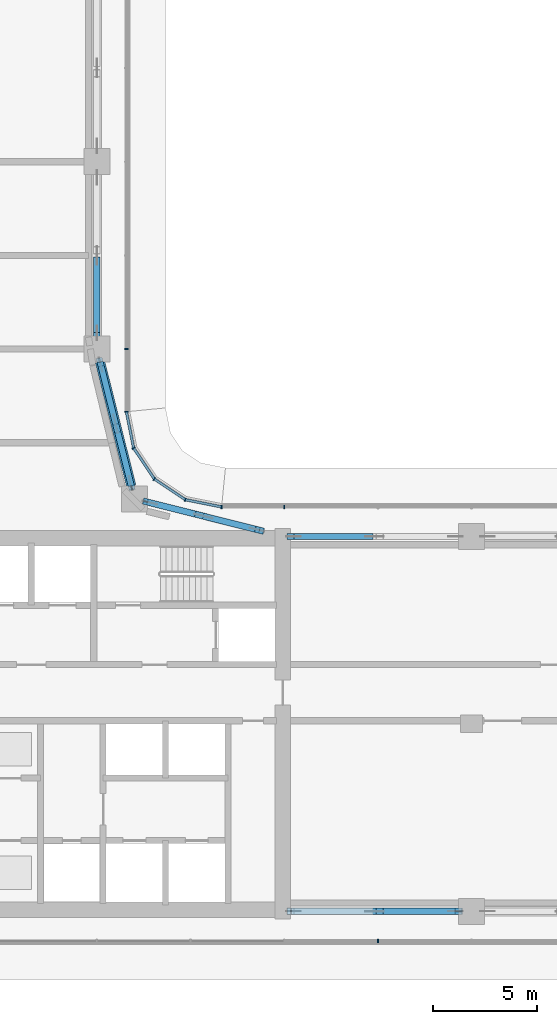
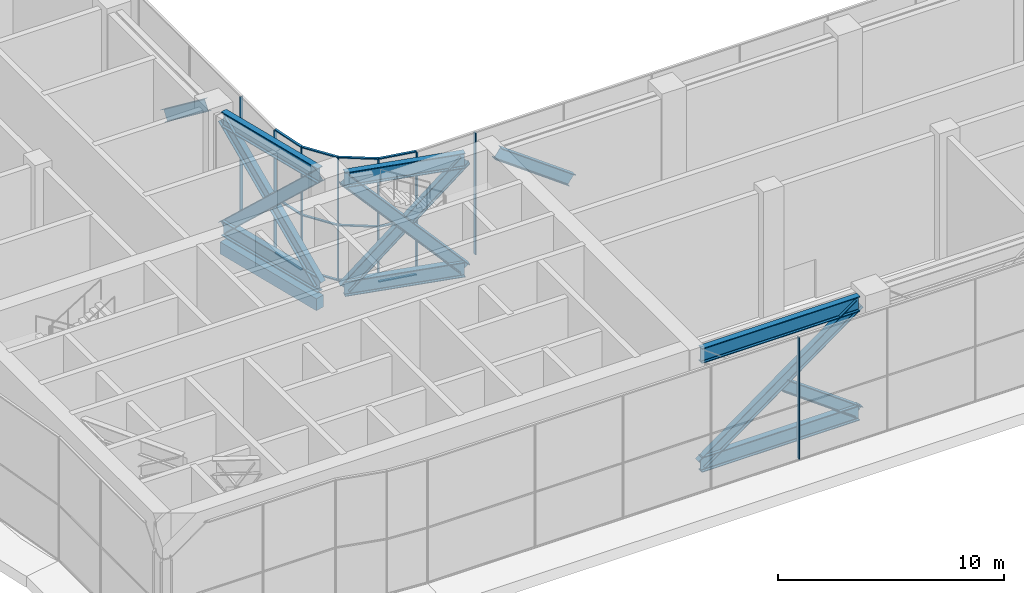
# One storey, part 5 of 35: 36 members, 1 beam, 4 elements without a shape of their own.
"""IFC4 building model written with IfcOpenShell, lengths in metres."""

from ifc_helpers import new_model, si_unit, direction, frame, origin, origin_2d, place, context, subcontext, project, spatial, rectangle, i_section, extrude, material, material_profile, profile_set, type_object, element, aggregate, save


model = new_model("IFC4")

# Units and contexts
model_context = context("Model", 3, precision=1e-05, world=origin(), true_north=direction((0.0, 1.0)))
body_context = subcontext(model_context, "Body", "Model", "MODEL_VIEW")
ifc_project = project(units=[si_unit("LENGTHUNIT", "METRE"), si_unit("AREAUNIT", "SQUARE_METRE"), si_unit("VOLUMEUNIT", "CUBIC_METRE"), si_unit("PLANEANGLEUNIT", "RADIAN"), si_unit("MASSUNIT", "GRAM", prefix="KILO")], contexts=[model_context])

# Site, building, storey
site_placement = place(None, origin())
site = spatial("IfcSite", under=ifc_project, at=site_placement, CompositionType="ELEMENT")
building_placement = place(site_placement, origin())
building = spatial("IfcBuilding", under=site, at=building_placement, Name="Ogive Portal Towers", CompositionType="ELEMENT")
storey_placement = place(building_placement, frame((0.0, 0.0, 135.199951171875)))
storey = spatial("IfcBuildingStorey", under=building, at=storey_placement, Name="L33", CompositionType="ELEMENT", Elevation=135.199951171875)

# Members
ifc_material_1 = material(Name="Steel S355", Category="steel")
ifc_material_profile_1 = material_profile(ifc_material_1, i_section(OverallWidth=0.300048828125, OverallDepth=0.60009765625, WebThickness=0.015380859375, FlangeThickness=0.030029296875, FilletRadius=0.027099609375, at=origin_2d()), Name="HEB 600")
ifc_profile_set_1 = profile_set([ifc_material_profile_1], Name="Steel S355")
member_type_1 = type_object("IfcMemberType", Name="BRACE HEB 600", PredefinedType="BRACE", material=ifc_profile_set_1)
member_1_placement = place(storey_placement, frame((58.800048828125, 21.5, 0.406982421875), z_axis=(0.808102750075, 0.0, 0.589041548044), x_axis=(0.0, 1.0, 0.0)))
element("IfcMember", 1, at=member_1_placement, inside=storey, type_object=member_type_1, Name="Belt truss diagonal", PredefinedType="BRACE", context=body_context, shape_type="SweptSolid", body=[
    extrude(i_section(OverallWidth=0.300048828125, OverallDepth=0.60009765625, WebThickness=0.015380859375, FlangeThickness=0.030029296875, FilletRadius=0.027099609375, at=origin_2d()), origin(), (0.0, 0.0, 1.0), 9.992431640625),
])
member_2_placement = place(storey_placement, frame((63.09228515625, 21.5, 3.16455078125), z_axis=(0.808074768055, 0.0, -0.589079934502), x_axis=(0.0, 1.0, 0.0)))
element("IfcMember", 2, at=member_2_placement, inside=storey, type_object=member_type_1, Name="Belt truss diagonal", PredefinedType="BRACE", context=body_context, shape_type="SweptSolid", body=[
    extrude(i_section(OverallWidth=0.300048828125, OverallDepth=0.60009765625, WebThickness=0.015380859375, FlangeThickness=0.030029296875, FilletRadius=0.027099609375, at=origin_2d()), origin(), (0.0, 0.0, 1.0), 4.68115234375),
])
member_3_placement = place(storey_placement, frame((62.582763671875, 39.5, 3.53564453125), z_axis=(-0.808099594501, 0.0, 0.589045877133), x_axis=(0.0, -1.0, 0.0)))
element("IfcMember", 3, at=member_3_placement, inside=storey, type_object=member_type_1, Name="Belt truss diagonal", PredefinedType="BRACE", context=body_context, shape_type="SweptSolid", body=[
    extrude(i_section(OverallWidth=0.300048828125, OverallDepth=0.60009765625, WebThickness=0.015380859375, FlangeThickness=0.030029296875, FilletRadius=0.027099609375, at=origin_2d()), origin(), (0.0, 0.0, 1.0), 4.680908203125),
])
member_4_placement = place(storey_placement, frame((57.308349609375, 39.800048828125, 0.406982421875), z_axis=(-0.664705621812, 0.167316513464, 0.728128848937), x_axis=(-0.24410078895, -0.969749867148, 0.0)))
element("IfcMember", 4, at=member_4_placement, inside=storey, type_object=member_type_1, Name="Belt truss diagonal", PredefinedType="BRACE", context=body_context, shape_type="SweptSolid", body=[
    extrude(i_section(OverallWidth=0.300048828125, OverallDepth=0.60009765625, WebThickness=0.015380859375, FlangeThickness=0.030029296875, FilletRadius=0.027099609375, at=origin_2d()), origin(), (0.0, 0.0, 1.0), 8.083740234375),
])
for number, where, z_axis, x_axis, name in (
    (5, (57.308349609375, 39.800048828125, 6.29296875), (-0.664738751521, 0.167310313036, -0.728100028415), (-0.244080841545, -0.969754887995, 0.0), "Belt truss diagonal"),
    (6, (54.421875, 40.526611328125, 3.13134765625), (-0.664670746947, 0.167309620575, -0.728162268327), (-0.244103376161, -0.969749215904, 0.0), "Belt truss diagonal"),
):
    element("IfcMember", number, at=place(storey_placement, frame(where, z_axis=z_axis, x_axis=x_axis)), inside=storey, type_object=member_type_1, Name=name, PredefinedType="BRACE", context=body_context, shape_type="SweptSolid", body=[
        extrude(i_section(OverallWidth=0.300048828125, OverallDepth=0.60009765625, WebThickness=0.015380859375, FlangeThickness=0.030029296875, FilletRadius=0.027099609375, at=origin_2d()), origin(), (0.0, 0.0, 1.0), 3.741455078125),
    ])
member_5_placement = place(storey_placement, frame((51.152587890625, 41.93505859375, 6.29296875), z_axis=(-0.17602984808, 0.699233665924, -0.69288222161), x_axis=(-0.969742611148, -0.24412961337, 0.0)))
element("IfcMember", 7, at=member_5_placement, inside=storey, type_object=member_type_1, Name="Belt truss diagonal", PredefinedType="BRACE", context=body_context, shape_type="SweptSolid", body=[
    extrude(i_section(OverallWidth=0.300048828125, OverallDepth=0.60009765625, WebThickness=0.015380859375, FlangeThickness=0.030029296875, FilletRadius=0.027099609375, at=origin_2d()), origin(), (0.0, 0.0, 1.0), 8.494873046875),
])
for number, where, z_axis, x_axis, name in (
    (8, (51.152587890625, 41.93505859375, 0.406982421875), (-0.176024791565, 0.699213024821, 0.692904335875), (-0.96974256524, -0.244129795725, 0.0), "Belt truss diagonal"),
    (9, (50.352294921875, 45.114990234375, 3.55810546875), (-0.176092270357, 0.69923537632, 0.692864633838), (-0.969722254499, -0.24421046073, 0.0), "Belt truss diagonal"),
):
    element("IfcMember", number, at=place(storey_placement, frame(where, z_axis=z_axis, x_axis=x_axis)), inside=storey, type_object=member_type_1, Name=name, PredefinedType="BRACE", context=body_context, shape_type="SweptSolid", body=[
        extrude(i_section(OverallWidth=0.300048828125, OverallDepth=0.60009765625, WebThickness=0.015380859375, FlangeThickness=0.030029296875, FilletRadius=0.027099609375, at=origin_2d()), origin(), (0.0, 0.0, 1.0), 3.947265625),
    ])
member_6_placement = place(storey_placement, frame((49.5, 49.125, 6.29296875), z_axis=(0.0, 0.796357381808, -0.60482635561), x_axis=(-1.0, 0.0, 0.0)))
element("IfcMember", 10, at=member_6_placement, inside=storey, type_object=member_type_1, Name="Belt truss diagonal", PredefinedType="BRACE", context=body_context, shape_type="SweptSolid", body=[
    extrude(i_section(OverallWidth=0.300048828125, OverallDepth=0.60009765625, WebThickness=0.015380859375, FlangeThickness=0.030029296875, FilletRadius=0.027099609375, at=origin_2d()), origin(), (0.0, 0.0, 1.0), 4.554443359375),
])
ifc_material_profile_2 = material_profile(ifc_material_1, i_section(OverallWidth=0.302978515625, OverallDepth=0.81396484375, WebThickness=0.02099609375, FlangeThickness=0.0400390625, FilletRadius=0.030029296875, at=origin_2d()), Name="HEM 800")
ifc_profile_set_2 = profile_set([ifc_material_profile_2], Name="Steel S355")
member_type_2 = type_object("IfcMemberType", Name="CHORD HEM 800", PredefinedType="CHORD", material=ifc_profile_set_2)
for number, where, z_axis, x_axis, name in (
    (11, (58.800048828125, 21.5, 0.406982421875), (1.0, 0.0, 0.0), (0.0, 1.0, 0.0), "Belt truss bottom chord"),
    (12, (58.800048828125, 21.5, 6.29296875), (1.0, 0.0, 0.0), (0.0, 1.0, 0.0), "Belt truss top chord"),
):
    element("IfcMember", number, at=place(storey_placement, frame(where, z_axis=z_axis, x_axis=x_axis)), inside=storey, type_object=member_type_2, Name=name, PredefinedType="CHORD", context=body_context, shape_type="SweptSolid", body=[
        extrude(i_section(OverallWidth=0.302978515625, OverallDepth=0.81396484375, WebThickness=0.02099609375, FlangeThickness=0.0400390625, FilletRadius=0.030029296875, at=origin_2d()), origin(), (0.0, 0.0, 1.0), 8.074951171875),
    ])
for number, where, z_axis, x_axis, name in (
    (13, (57.308349609375, 39.800048828125, 0.406982421875), (-0.969749867148, 0.24410078895, 0.0), (-0.24410078895, -0.969749867148, 0.0), "Belt truss bottom chord"),
    (14, (57.308349609375, 39.800048828125, 6.29296875), (-0.969749867148, 0.24410078895, 0.0), (-0.24410078895, -0.969749867148, 0.0), "Belt truss top chord"),
):
    element("IfcMember", number, at=place(storey_placement, frame(where, z_axis=z_axis, x_axis=x_axis)), inside=storey, type_object=member_type_2, Name=name, PredefinedType="CHORD", context=body_context, shape_type="SweptSolid", body=[
        extrude(i_section(OverallWidth=0.302978515625, OverallDepth=0.81396484375, WebThickness=0.02099609375, FlangeThickness=0.0400390625, FilletRadius=0.030029296875, at=origin_2d()), origin(), (0.0, 0.0, 1.0), 5.541015625),
    ])
for number, where, z_axis, x_axis, name in (
    (15, (51.152587890625, 41.93505859375, 0.406982421875), (-0.24412961337, 0.969742611148, 0.0), (-0.969742611148, -0.24412961337, 0.0), "Belt truss bottom chord"),
    (16, (51.152587890625, 41.93505859375, 6.29296875), (-0.24412961337, 0.969742611148, 0.0), (-0.969742611148, -0.24412961337, 0.0), "Belt truss top chord"),
):
    element("IfcMember", number, at=place(storey_placement, frame(where, z_axis=z_axis, x_axis=x_axis)), inside=storey, type_object=member_type_2, Name=name, PredefinedType="CHORD", context=body_context, shape_type="SweptSolid", body=[
        extrude(i_section(OverallWidth=0.302978515625, OverallDepth=0.81396484375, WebThickness=0.02099609375, FlangeThickness=0.0400390625, FilletRadius=0.030029296875, at=origin_2d()), origin(), (0.0, 0.0, 1.0), 6.125244140625),
    ])

# Curtain wall, member
ifc_material_2 = material(Name="Glass, clear low-iron insulated glazing", Category="glass")
curtain_wall_type = type_object("IfcCurtainWallType", Name="CW OBSERVATION WALL", PredefinedType="NOTDEFINED", material=ifc_material_2)
curtain_wall_1_placement = place(storey_placement, origin())
curtain_wall_1 = element("IfcCurtainWall", 17, at=curtain_wall_1_placement, inside=storey, type_object=curtain_wall_type, Name="A:L33:f06:cw0", PredefinedType="NOTDEFINED")
ifc_material_3 = material(Name="Aluminium 6063 anodised", Category="aluminium")
ifc_material_profile_3 = material_profile(ifc_material_3, rectangle(XDim=0.159912109375, YDim=0.06005859375, at=origin_2d()), Name="AL 60x160")
ifc_profile_set_3 = profile_set([ifc_material_profile_3], Name="Aluminium 6063 anodised")
member_type_3 = type_object("IfcMemberType", Name="CW MULLION 60x160", PredefinedType="MULLION", material=ifc_profile_set_3)
member_7_placement = place(storey_placement, frame((63.0, 20.080078125, 0.06005859375), z_axis=(0.0, 0.0, 1.0), x_axis=(0.0, 1.0, 0.0)))
member_7 = element("IfcMember", 18, at=member_7_placement, type_object=member_type_3, Name="mullion", PredefinedType="MULLION", context=body_context, shape_type="SweptSolid", body=[
    extrude(rectangle(XDim=0.159912109375, YDim=0.06005859375, at=origin_2d()), origin(), (0.0, 0.0, 1.0), 6.580078125),
])
aggregate(curtain_wall_1, [member_7])

# Curtain wall, members
curtain_wall_2_placement = place(storey_placement, origin())
curtain_wall_2 = element("IfcCurtainWall", 19, at=curtain_wall_2_placement, inside=storey, type_object=curtain_wall_type, Name="A:L33:f12:cw0", PredefinedType="NOTDEFINED")
member_8_placement = place(storey_placement, frame((58.5, 40.919921875, 0.06005859375), z_axis=(0.0, 0.0, 1.0), x_axis=(0.0, -1.0, 0.0)))
member_8 = element("IfcMember", 20, at=member_8_placement, type_object=member_type_3, Name="mullion", PredefinedType="MULLION", context=body_context, shape_type="SweptSolid", body=[
    extrude(rectangle(XDim=0.159912109375, YDim=0.06005859375, at=origin_2d()), origin(), (0.0, 0.0, 1.0), 6.580078125),
])
member_9_placement = place(storey_placement, frame((55.4921875, 40.919921875, 0.06005859375), z_axis=(0.0, 0.0, 1.0), x_axis=(0.0, -1.0, 0.0)))
member_9 = element("IfcMember", 21, at=member_9_placement, type_object=member_type_3, Name="mullion", PredefinedType="MULLION", context=body_context, shape_type="SweptSolid", body=[
    extrude(rectangle(XDim=0.159912109375, YDim=0.06005859375, at=origin_2d()), origin(), (0.0, 0.0, 1.0), 6.580078125),
])
aggregate(curtain_wall_2, [member_8, member_9])

curtain_wall_3_placement = place(storey_placement, origin())
curtain_wall_3 = element("IfcCurtainWall", 22, at=curtain_wall_3_placement, inside=storey, type_object=curtain_wall_type, Name="A:L33:f17:cw0", PredefinedType="NOTDEFINED")
member_10_placement = place(storey_placement, frame((50.919921875, 45.4921875, 0.06005859375), z_axis=(0.0, 0.0, 1.0), x_axis=(-1.0, 0.0, 0.0)))
member_10 = element("IfcMember", 23, at=member_10_placement, type_object=member_type_3, Name="mullion", PredefinedType="MULLION", context=body_context, shape_type="SweptSolid", body=[
    extrude(rectangle(XDim=0.159912109375, YDim=0.06005859375, at=origin_2d()), origin(), (0.0, 0.0, 1.0), 6.580078125),
])
member_11_placement = place(storey_placement, frame((50.919921875, 48.5, 0.06005859375), z_axis=(0.0, 0.0, 1.0), x_axis=(-1.0, 0.0, 0.0)))
member_11 = element("IfcMember", 24, at=member_11_placement, type_object=member_type_3, Name="mullion", PredefinedType="MULLION", context=body_context, shape_type="SweptSolid", body=[
    extrude(rectangle(XDim=0.159912109375, YDim=0.06005859375, at=origin_2d()), origin(), (0.0, 0.0, 1.0), 6.580078125),
])
aggregate(curtain_wall_3, [member_10, member_11])

curtain_wall_4_placement = place(storey_placement, origin())
curtain_wall_4 = element("IfcCurtainWall", 25, at=curtain_wall_4_placement, inside=storey, type_object=curtain_wall_type, Name="A:L33:f13:cwa", PredefinedType="NOTDEFINED")
member_12_placement = place(storey_placement, frame((53.746826171875, 41.26708984375, 0.06005859375), z_axis=(0.0, 0.0, 1.0), x_axis=(-0.195090322016, -0.980785280403, 0.0)))
member_12 = element("IfcMember", 26, at=member_12_placement, type_object=member_type_3, Name="mullion", PredefinedType="MULLION", context=body_context, shape_type="SweptSolid", body=[
    extrude(rectangle(XDim=0.159912109375, YDim=0.06005859375, at=origin_2d()), origin(), (0.0, 0.0, 1.0), 6.580078125),
])
member_13_placement = place(storey_placement, frame((52.26025390625, 42.26025390625, 0.06005859375), z_axis=(0.0, 0.0, 1.0), x_axis=(-0.55557023302, -0.831469612303, 0.0)))
member_13 = element("IfcMember", 27, at=member_13_placement, type_object=member_type_3, Name="mullion", PredefinedType="MULLION", context=body_context, shape_type="SweptSolid", body=[
    extrude(rectangle(XDim=0.159912109375, YDim=0.06005859375, at=origin_2d()), origin(), (0.0, 0.0, 1.0), 6.580078125),
])
member_14_placement = place(storey_placement, frame((51.26708984375, 43.746826171875, 0.06005859375), z_axis=(0.0, 0.0, 1.0), x_axis=(-0.831469612303, -0.55557023302, 0.0)))
member_14 = element("IfcMember", 28, at=member_14_placement, type_object=member_type_3, Name="mullion", PredefinedType="MULLION", context=body_context, shape_type="SweptSolid", body=[
    extrude(rectangle(XDim=0.159912109375, YDim=0.06005859375, at=origin_2d()), origin(), (0.0, 0.0, 1.0), 6.580078125),
])
ifc_material_profile_4 = material_profile(ifc_material_3, rectangle(XDim=0.1201171875, YDim=0.06005859375, at=origin_2d()), Name="AL 120x60")
ifc_profile_set_4 = profile_set([ifc_material_profile_4], Name="Aluminium 6063 anodised")
member_type_4 = type_object("IfcMemberType", Name="CW TRANSOM 60x120", PredefinedType="USERDEFINED", material=ifc_profile_set_4)
member_15_placement = place(storey_placement, frame((55.4921875, 40.919921875, 0.030029296875), z_axis=(-0.980785923915, 0.195087086838, 0.0), x_axis=(-0.195087086838, -0.980785923915, 0.0)))
member_15 = element("IfcMember", 29, at=member_15_placement, type_object=member_type_4, Name="transom", ObjectType="TRANSOM", PredefinedType="USERDEFINED", context=body_context, shape_type="SweptSolid", body=[
    extrude(rectangle(XDim=0.1201171875, YDim=0.06005859375, at=origin_2d()), origin(), (0.0, 0.0, 1.0), 1.779541015625),
])
member_16_placement = place(storey_placement, frame((55.4921875, 40.919921875, 3.0), z_axis=(-0.980785923915, 0.195087086838, 0.0), x_axis=(-0.195087086838, -0.980785923915, 0.0)))
member_16 = element("IfcMember", 30, at=member_16_placement, type_object=member_type_4, Name="transom", ObjectType="TRANSOM", PredefinedType="USERDEFINED", context=body_context, shape_type="SweptSolid", body=[
    extrude(rectangle(XDim=0.1201171875, YDim=0.06005859375, at=origin_2d()), origin(), (0.0, 0.0, 1.0), 1.779541015625),
])
member_17_placement = place(storey_placement, frame((55.4921875, 40.919921875, 6.670166015625), z_axis=(-0.980785923915, 0.195087086838, 0.0), x_axis=(-0.195087086838, -0.980785923915, 0.0)))
member_17 = element("IfcMember", 31, at=member_17_placement, type_object=member_type_4, Name="transom", ObjectType="TRANSOM", PredefinedType="USERDEFINED", context=body_context, shape_type="SweptSolid", body=[
    extrude(rectangle(XDim=0.1201171875, YDim=0.06005859375, at=origin_2d()), origin(), (0.0, 0.0, 1.0), 1.779541015625),
])
member_18_placement = place(storey_placement, frame((53.746826171875, 41.26708984375, 0.030029296875), z_axis=(-0.831503657605, 0.555519277244, 0.0), x_axis=(-0.555519277244, -0.831503657605, 0.0)))
member_18 = element("IfcMember", 32, at=member_18_placement, type_object=member_type_4, Name="transom", ObjectType="TRANSOM", PredefinedType="USERDEFINED", context=body_context, shape_type="SweptSolid", body=[
    extrude(rectangle(XDim=0.1201171875, YDim=0.06005859375, at=origin_2d()), origin(), (0.0, 0.0, 1.0), 1.787841796875),
])
member_19_placement = place(storey_placement, frame((53.746826171875, 41.26708984375, 3.0), z_axis=(-0.831503657605, 0.555519277244, 0.0), x_axis=(-0.555519277244, -0.831503657605, 0.0)))
member_19 = element("IfcMember", 33, at=member_19_placement, type_object=member_type_4, Name="transom", ObjectType="TRANSOM", PredefinedType="USERDEFINED", context=body_context, shape_type="SweptSolid", body=[
    extrude(rectangle(XDim=0.1201171875, YDim=0.06005859375, at=origin_2d()), origin(), (0.0, 0.0, 1.0), 1.787841796875),
])
member_20_placement = place(storey_placement, frame((53.746826171875, 41.26708984375, 6.670166015625), z_axis=(-0.831503657605, 0.555519277244, 0.0), x_axis=(-0.555519277244, -0.831503657605, 0.0)))
member_20 = element("IfcMember", 34, at=member_20_placement, type_object=member_type_4, Name="transom", ObjectType="TRANSOM", PredefinedType="USERDEFINED", context=body_context, shape_type="SweptSolid", body=[
    extrude(rectangle(XDim=0.1201171875, YDim=0.06005859375, at=origin_2d()), origin(), (0.0, 0.0, 1.0), 1.787841796875),
])
member_21_placement = place(storey_placement, frame((52.26025390625, 42.26025390625, 0.030029296875), z_axis=(-0.555519277244, 0.831503657605, 0.0), x_axis=(-0.831503657605, -0.555519277244, 0.0)))
member_21 = element("IfcMember", 35, at=member_21_placement, type_object=member_type_4, Name="transom", ObjectType="TRANSOM", PredefinedType="USERDEFINED", context=body_context, shape_type="SweptSolid", body=[
    extrude(rectangle(XDim=0.1201171875, YDim=0.06005859375, at=origin_2d()), origin(), (0.0, 0.0, 1.0), 1.787841796875),
])
member_22_placement = place(storey_placement, frame((52.26025390625, 42.26025390625, 3.0), z_axis=(-0.555519277244, 0.831503657605, 0.0), x_axis=(-0.831503657605, -0.555519277244, 0.0)))
member_22 = element("IfcMember", 36, at=member_22_placement, type_object=member_type_4, Name="transom", ObjectType="TRANSOM", PredefinedType="USERDEFINED", context=body_context, shape_type="SweptSolid", body=[
    extrude(rectangle(XDim=0.1201171875, YDim=0.06005859375, at=origin_2d()), origin(), (0.0, 0.0, 1.0), 1.787841796875),
])
member_23_placement = place(storey_placement, frame((52.26025390625, 42.26025390625, 6.670166015625), z_axis=(-0.555519277244, 0.831503657605, 0.0), x_axis=(-0.831503657605, -0.555519277244, 0.0)))
member_23 = element("IfcMember", 37, at=member_23_placement, type_object=member_type_4, Name="transom", ObjectType="TRANSOM", PredefinedType="USERDEFINED", context=body_context, shape_type="SweptSolid", body=[
    extrude(rectangle(XDim=0.1201171875, YDim=0.06005859375, at=origin_2d()), origin(), (0.0, 0.0, 1.0), 1.787841796875),
])
member_24_placement = place(storey_placement, frame((51.26708984375, 43.746826171875, 0.030029296875), z_axis=(-0.195087086838, 0.980785923915, 0.0), x_axis=(-0.980785923915, -0.195087086838, 0.0)))
member_24 = element("IfcMember", 38, at=member_24_placement, type_object=member_type_4, Name="transom", ObjectType="TRANSOM", PredefinedType="USERDEFINED", context=body_context, shape_type="SweptSolid", body=[
    extrude(rectangle(XDim=0.1201171875, YDim=0.06005859375, at=origin_2d()), origin(), (0.0, 0.0, 1.0), 1.779541015625),
])
member_25_placement = place(storey_placement, frame((51.26708984375, 43.746826171875, 3.0), z_axis=(-0.195087086838, 0.980785923915, 0.0), x_axis=(-0.980785923915, -0.195087086838, 0.0)))
member_25 = element("IfcMember", 39, at=member_25_placement, type_object=member_type_4, Name="transom", ObjectType="TRANSOM", PredefinedType="USERDEFINED", context=body_context, shape_type="SweptSolid", body=[
    extrude(rectangle(XDim=0.1201171875, YDim=0.06005859375, at=origin_2d()), origin(), (0.0, 0.0, 1.0), 1.779541015625),
])
member_26_placement = place(storey_placement, frame((51.26708984375, 43.746826171875, 6.670166015625), z_axis=(-0.195087086838, 0.980785923915, 0.0), x_axis=(-0.980785923915, -0.195087086838, 0.0)))
member_26 = element("IfcMember", 40, at=member_26_placement, type_object=member_type_4, Name="transom", ObjectType="TRANSOM", PredefinedType="USERDEFINED", context=body_context, shape_type="SweptSolid", body=[
    extrude(rectangle(XDim=0.1201171875, YDim=0.06005859375, at=origin_2d()), origin(), (0.0, 0.0, 1.0), 1.779541015625),
])
aggregate(curtain_wall_4, [member_15, member_16, member_17, member_18, member_19, member_20, member_21, member_22, member_23, member_24, member_25, member_26, member_12, member_13, member_14])

# Beam
ifc_material_4 = material(Name="Concrete C50/60", Category="concrete")
ifc_material_profile_5 = material_profile(ifc_material_4, rectangle(XDim=0.449951171875, YDim=0.64990234375, at=origin_2d()), Name="RC 450x650")
ifc_profile_set_5 = profile_set([ifc_material_profile_5], Name="Concrete C50/60")
beam_type = type_object("IfcBeamType", Name="SPANDREL BEAM RC 450x650", PredefinedType="BEAM", material=ifc_profile_set_5)
beam_placement = place(storey_placement, frame((49.6572265625, 47.875, -0.625), z_axis=(0.24412961337, -0.969742611148, 0.0), x_axis=(0.969742611148, 0.24412961337, 0.0)))
element("IfcBeam", 41, at=beam_placement, inside=storey, type_object=beam_type, Name="Spandrel beam L33", PredefinedType="BEAM", context=body_context, shape_type="SweptSolid", body=[
    extrude(rectangle(XDim=0.449951171875, YDim=0.64990234375, at=origin_2d()), origin(), (0.0, 0.0, 1.0), 6.125244140625),
])

save(model, "model.ifc")
